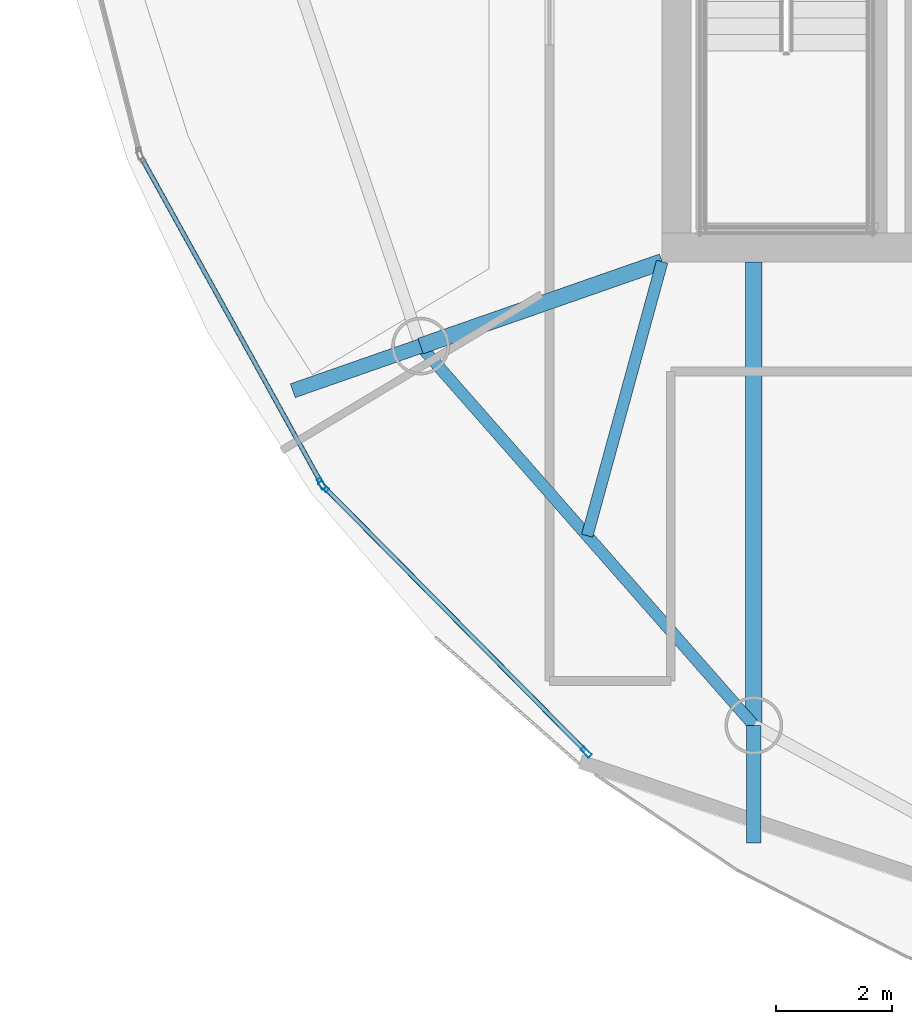
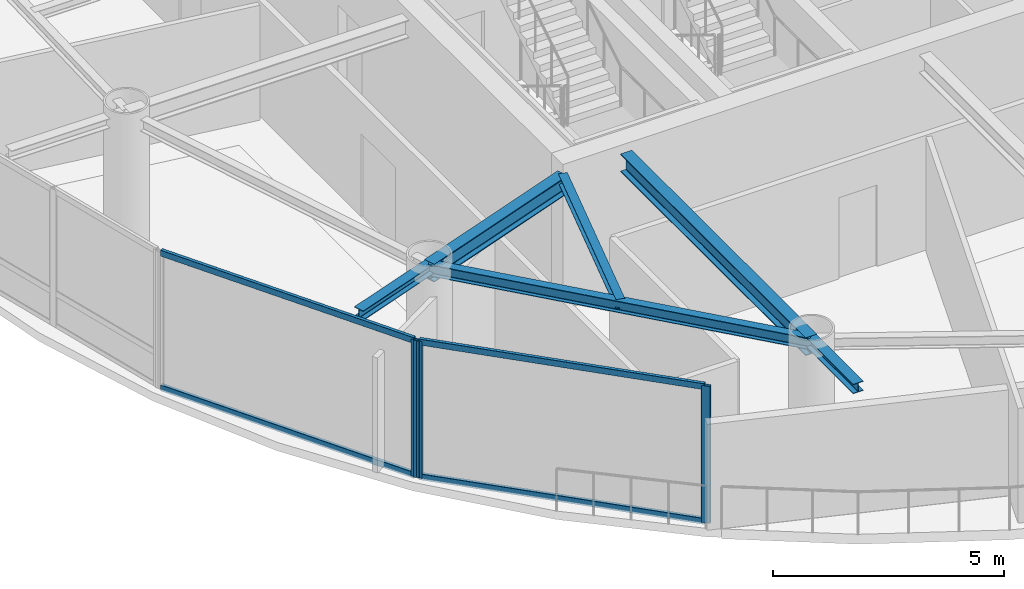
# One storey, part 2 of 20: 7 members, 6 beams, 2 elements without a shape of their own.
"""IFC4 building model written with IfcOpenShell, lengths in metres."""

from ifc_helpers import new_model, si_unit, direction, frame, origin, origin_2d, place, context, subcontext, project, spatial, hollow_rectangle, i_section, extrude, material, layer, layer_set, material_profile, profile_set, type_object, element, aggregate, save


model = new_model("IFC4")

# Units and contexts
model_context = context("Model", 3, precision=1e-05, world=origin(), true_north=direction((0.0, 1.0)))
body_context = subcontext(model_context, "Body", "Model", "MODEL_VIEW")
ifc_project = project(units=[si_unit("LENGTHUNIT", "METRE"), si_unit("AREAUNIT", "SQUARE_METRE"), si_unit("VOLUMEUNIT", "CUBIC_METRE"), si_unit("PLANEANGLEUNIT", "RADIAN"), si_unit("MASSUNIT", "GRAM", prefix="KILO")], contexts=[model_context])

# Site, building, storey
site_placement = place(None, origin())
site = spatial("IfcSite", under=ifc_project, at=site_placement, CompositionType="ELEMENT")
building_placement = place(site_placement, origin())
building = spatial("IfcBuilding", under=site, at=building_placement, Name="Bramvorn Convention Spire", CompositionType="ELEMENT")
storey_placement = place(building_placement, frame((0.0, 0.0, 245.89990234375)))
storey = spatial("IfcBuildingStorey", under=building, at=storey_placement, Name="L62", CompositionType="ELEMENT", Elevation=245.89990234375)

# Beams
ifc_material_1 = material(Name="Steel CSA G40.21 Grade 350 (350W)", Category="steel")
ifc_material_profile_1 = material_profile(ifc_material_1, i_section(OverallWidth=0.201904296875, OverallDepth=0.2470703125, WebThickness=0.00732421875, FlangeThickness=0.010986328125, FilletRadius=0.011962890625, at=origin_2d()))
ifc_profile_set_1 = profile_set([ifc_material_profile_1], Name="Steel CSA G40.21 Grade 350 (350W) - W250X49")
beam_type_1 = type_object("IfcBeamType", Name="BM-W250X49", PredefinedType="JOIST", material=ifc_profile_set_1)
beam_1_placement = place(storey_placement, frame((26.75, 18.550048828125, 3.501708984375), z_axis=(-0.26386506219, -0.96455960363, 0.0), x_axis=(0.96455960363, -0.26386506219, 0.0)))
element("IfcBeam", 1, at=beam_1_placement, inside=storey, type_object=beam_type_1, Name="L62 composite floor joist 13", PredefinedType="JOIST", context=body_context, shape_type="SweptSolid", body=[
    extrude(i_section(OverallWidth=0.201904296875, OverallDepth=0.2470703125, WebThickness=0.00732421875, FlangeThickness=0.010986328125, FilletRadius=0.011962890625, at=origin_2d()), origin(), (0.0, 0.0, 1.0), 4.917724609375),
])
ifc_material_profile_2 = material_profile(ifc_material_1, i_section(OverallWidth=0.25390625, OverallDepth=0.2529296875, WebThickness=0.008544921875, FlangeThickness=0.01416015625, FilletRadius=0.011962890625, at=origin_2d()))
ifc_profile_set_2 = profile_set([ifc_material_profile_2], Name="Steel CSA G40.21 Grade 350 (350W) - W250X73")
beam_type_2 = type_object("IfcBeamType", Name="BM-W250X73", PredefinedType="BEAM", material=ifc_profile_set_2)
beam_2_placement = place(storey_placement, frame((22.5673828125, 17.090087890625, 3.49853515625), z_axis=(-0.94411129325, -0.329626858671, 0.0), x_axis=(0.329626858671, -0.94411129325, 0.0)))
element("IfcBeam", 2, at=beam_2_placement, inside=storey, type_object=beam_type_2, Name="L62 slab-edge cantilever tip beam MC13", PredefinedType="BEAM", context=body_context, shape_type="SweptSolid", body=[
    extrude(i_section(OverallWidth=0.25390625, OverallDepth=0.2529296875, WebThickness=0.008544921875, FlangeThickness=0.01416015625, FilletRadius=0.011962890625, at=origin_2d()), origin(), (0.0, 0.0, 1.0), 2.344970703125),
])
beam_3_placement = place(storey_placement, frame((28.337646484375, 10.523193359375, 3.49853515625), z_axis=(0.0, -1.0, 0.0), x_axis=(1.0, 0.0, 0.0)))
element("IfcBeam", 3, at=beam_3_placement, inside=storey, type_object=beam_type_2, Name="L62 slab-edge cantilever tip beam MC14", PredefinedType="BEAM", context=body_context, shape_type="SweptSolid", body=[
    extrude(i_section(OverallWidth=0.25390625, OverallDepth=0.2529296875, WebThickness=0.008544921875, FlangeThickness=0.01416015625, FilletRadius=0.011962890625, at=origin_2d()), origin(), (0.0, 0.0, 1.0), 2.034912109375),
])
ifc_material_profile_3 = material_profile(ifc_material_1, i_section(OverallWidth=0.202880859375, OverallDepth=0.302978515625, WebThickness=0.007568359375, FlangeThickness=0.01318359375, FilletRadius=0.013916015625, at=origin_2d()))
ifc_profile_set_3 = profile_set([ifc_material_profile_3], Name="Steel CSA G40.21 Grade 350 (350W) - W310X60")
beam_type_3 = type_object("IfcBeamType", Name="BM-W310X60", PredefinedType="JOIST", material=ifc_profile_set_3)
beam_4_placement = place(storey_placement, frame((22.5673828125, 17.090087890625, 3.4736328125), z_axis=(0.660073062339, -0.751201405999, 0.0), x_axis=(0.751201405999, 0.660073062339, 0.0)))
element("IfcBeam", 4, at=beam_4_placement, inside=storey, type_object=beam_type_3, Name="L62 mega-column ring beam 13", PredefinedType="JOIST", context=body_context, shape_type="SweptSolid", body=[
    extrude(i_section(OverallWidth=0.202880859375, OverallDepth=0.302978515625, WebThickness=0.007568359375, FlangeThickness=0.01318359375, FilletRadius=0.013916015625, at=origin_2d()), origin(), (0.0, 0.0, 1.0), 8.741943359375),
])
ifc_material_profile_4 = material_profile(ifc_material_1, i_section(OverallWidth=0.283935546875, OverallDepth=0.47607421875, WebThickness=0.014892578125, FlangeThickness=0.02392578125, FilletRadius=0.01806640625, at=origin_2d()))
ifc_profile_set_4 = profile_set([ifc_material_profile_4], Name="Steel CSA G40.21 Grade 350 (350W) - W460X158")
beam_type_4 = type_object("IfcBeamType", Name="BM-W460X158", PredefinedType="SPANDREL", material=ifc_profile_set_4)
beam_5_placement = place(storey_placement, frame((26.75, 18.550048828125, 3.38720703125), z_axis=(-0.944136391877, -0.329554962843, 0.0), x_axis=(0.329554962843, -0.944136391877, 0.0)))
element("IfcBeam", 5, at=beam_5_placement, inside=storey, type_object=beam_type_4, Name="L62 radial floor girder MC13", PredefinedType="SPANDREL", context=body_context, shape_type="SweptSolid", body=[
    extrude(i_section(OverallWidth=0.283935546875, OverallDepth=0.47607421875, WebThickness=0.014892578125, FlangeThickness=0.02392578125, FilletRadius=0.01806640625, at=origin_2d()), origin(), (0.0, 0.0, 1.0), 4.43017578125),
])
beam_6_placement = place(storey_placement, frame((28.337646484375, 18.550048828125, 3.38720703125), z_axis=(0.0, -1.0, 0.0), x_axis=(1.0, 0.0, 0.0)))
element("IfcBeam", 6, at=beam_6_placement, inside=storey, type_object=beam_type_4, Name="L62 radial floor girder MC14", PredefinedType="SPANDREL", context=body_context, shape_type="SweptSolid", body=[
    extrude(i_section(OverallWidth=0.283935546875, OverallDepth=0.47607421875, WebThickness=0.014892578125, FlangeThickness=0.02392578125, FilletRadius=0.01806640625, at=origin_2d()), origin(), (0.0, 0.0, 1.0), 8.02685546875),
])

# Curtain wall, member
ifc_material_2 = material(Name="Anodised Bronze Unitised Curtain Wall", Category="aluminium")
ifc_layer = layer(ifc_material_2, 0.179931640625)
ifc_layer_set = layer_set([ifc_layer], Name="Anodised Bronze Unitised Curtain Wall - CW-OFF-FRIT")
curtain_wall_type = type_object("IfcCurtainWallType", Name="CW-OFF-FRIT", PredefinedType="USERDEFINED", material=ifc_layer_set)
curtain_wall_1_placement = place(storey_placement, origin())
curtain_wall_1 = element("IfcCurtainWall", 7, at=curtain_wall_1_placement, inside=storey, type_object=curtain_wall_type, Name="L62 fritted glass curtain wall 18", ObjectType="UNITISED CURTAIN WALL", PredefinedType="USERDEFINED")
ifc_material_3 = material(Name="Anodised Bronze Aluminium 6063-T6", Category="aluminium")
ifc_material_profile_5 = material_profile(ifc_material_3, hollow_rectangle(XDim=0.080078125, YDim=0.199951171875, WallThickness=0.00390625, InnerFilletRadius=0.0009765625, OuterFilletRadius=0.00390625, at=origin_2d()))
ifc_profile_set_5 = profile_set([ifc_material_profile_5], Name="Anodised Bronze Aluminium 6063-T6 - CWM80X200")
member_type_1 = type_object("IfcMemberType", Name="CW-MUL-180", PredefinedType="MULLION", material=ifc_profile_set_5)
member_1_placement = place(storey_placement, frame((20.85302734375, 14.708251953125, 0.0), z_axis=(0.0, 0.0, 1.0), x_axis=(-0.875298880073, -0.483582330677, 0.0)))
member_1 = element("IfcMember", 8, at=member_1_placement, type_object=member_type_1, Name="CW3 mullion 1", PredefinedType="MULLION", context=body_context, shape_type="SweptSolid", body=[
    extrude(hollow_rectangle(XDim=0.080078125, YDim=0.199951171875, WallThickness=0.00390625, InnerFilletRadius=0.0009765625, OuterFilletRadius=0.00390625, at=origin_2d()), origin(), (0.0, 0.0, 1.0), 3.625),
])

# Curtain wall, members
curtain_wall_2_placement = place(storey_placement, origin())
curtain_wall_2 = element("IfcCurtainWall", 9, at=curtain_wall_2_placement, inside=storey, type_object=curtain_wall_type, Name="L62 fritted glass curtain wall 19", ObjectType="UNITISED CURTAIN WALL", PredefinedType="USERDEFINED")
member_2_placement = place(storey_placement, frame((25.435791015625, 10.062255859375, 0.0), z_axis=(0.0, 0.0, 1.0), x_axis=(-0.711033320879, -0.703158315459, 0.0)))
member_2 = element("IfcMember", 10, at=member_2_placement, type_object=member_type_1, Name="CW3 mullion 1", PredefinedType="MULLION", context=body_context, shape_type="SweptSolid", body=[
    extrude(hollow_rectangle(XDim=0.080078125, YDim=0.199951171875, WallThickness=0.00390625, InnerFilletRadius=0.0009765625, OuterFilletRadius=0.00390625, at=origin_2d()), origin(), (0.0, 0.0, 1.0), 3.625),
])
member_3_placement = place(storey_placement, frame((20.888671875, 14.66064453125, 0.0), z_axis=(0.0, 0.0, 1.0), x_axis=(-0.711033320879, -0.703158315459, 0.0)))
member_3 = element("IfcMember", 11, at=member_3_placement, type_object=member_type_1, Name="CW3 mullion 2", PredefinedType="MULLION", context=body_context, shape_type="SweptSolid", body=[
    extrude(hollow_rectangle(XDim=0.080078125, YDim=0.199951171875, WallThickness=0.00390625, InnerFilletRadius=0.0009765625, OuterFilletRadius=0.00390625, at=origin_2d()), origin(), (0.0, 0.0, 1.0), 3.625),
])

# Member
ifc_material_profile_6 = material_profile(ifc_material_3, hollow_rectangle(XDim=0.080078125, YDim=0.159912109375, WallThickness=0.00390625, InnerFilletRadius=0.0009765625, OuterFilletRadius=0.00390625, at=origin_2d()))
ifc_profile_set_6 = profile_set([ifc_material_profile_6], Name="Anodised Bronze Aluminium 6063-T6 - CWT80X160")
member_type_2 = type_object("IfcMemberType", Name="CW-TRN-150", PredefinedType="USERDEFINED", material=ifc_profile_set_6)
member_4_placement = place(storey_placement, frame((20.83837890625, 14.734375, 0.030029296875), z_axis=(-0.483570878439, 0.875305207071, 0.0), x_axis=(-0.875305207071, -0.483570878439, 0.0)))
member_4 = element("IfcMember", 12, at=member_4_placement, type_object=member_type_2, Name="CW3 transom 1.1", ObjectType="TRANSOM", PredefinedType="USERDEFINED", context=body_context, shape_type="SweptSolid", body=[
    extrude(hollow_rectangle(XDim=0.080078125, YDim=0.159912109375, WallThickness=0.00390625, InnerFilletRadius=0.0009765625, OuterFilletRadius=0.00390625, at=origin_2d()), origin(), (0.0, 0.0, 1.0), 6.40673828125),
])

member_5_placement = place(storey_placement, frame((20.83837890625, 14.734375, 3.59521484375), z_axis=(-0.483570878439, 0.875305207071, 0.0), x_axis=(-0.875305207071, -0.483570878439, 0.0)))
member_5 = element("IfcMember", 13, at=member_5_placement, type_object=member_type_2, Name="CW3 transom 1.2", ObjectType="TRANSOM", PredefinedType="USERDEFINED", context=body_context, shape_type="SweptSolid", body=[
    extrude(hollow_rectangle(XDim=0.080078125, YDim=0.159912109375, WallThickness=0.00390625, InnerFilletRadius=0.0009765625, OuterFilletRadius=0.00390625, at=origin_2d()), origin(), (0.0, 0.0, 1.0), 6.40673828125),
])

aggregate(curtain_wall_1, [member_1, member_4, member_5])

member_6_placement = place(storey_placement, frame((25.414794921875, 10.083740234375, 0.030029296875), z_axis=(-0.703170964822, 0.711020811391, 0.0), x_axis=(-0.711020811391, -0.703170964822, 0.0)))
member_6 = element("IfcMember", 14, at=member_6_placement, type_object=member_type_2, Name="CW3 transom 1.1", ObjectType="TRANSOM", PredefinedType="USERDEFINED", context=body_context, shape_type="SweptSolid", body=[
    extrude(hollow_rectangle(XDim=0.080078125, YDim=0.159912109375, WallThickness=0.00390625, InnerFilletRadius=0.0009765625, OuterFilletRadius=0.00390625, at=origin_2d()), origin(), (0.0, 0.0, 1.0), 6.406982421875),
])

member_7_placement = place(storey_placement, frame((25.414794921875, 10.083740234375, 3.59521484375), z_axis=(-0.703170964822, 0.711020811391, 0.0), x_axis=(-0.711020811391, -0.703170964822, 0.0)))
member_7 = element("IfcMember", 15, at=member_7_placement, type_object=member_type_2, Name="CW3 transom 1.2", ObjectType="TRANSOM", PredefinedType="USERDEFINED", context=body_context, shape_type="SweptSolid", body=[
    extrude(hollow_rectangle(XDim=0.080078125, YDim=0.159912109375, WallThickness=0.00390625, InnerFilletRadius=0.0009765625, OuterFilletRadius=0.00390625, at=origin_2d()), origin(), (0.0, 0.0, 1.0), 6.406982421875),
])

aggregate(curtain_wall_2, [member_2, member_3, member_6, member_7])

save(model, "model.ifc")
